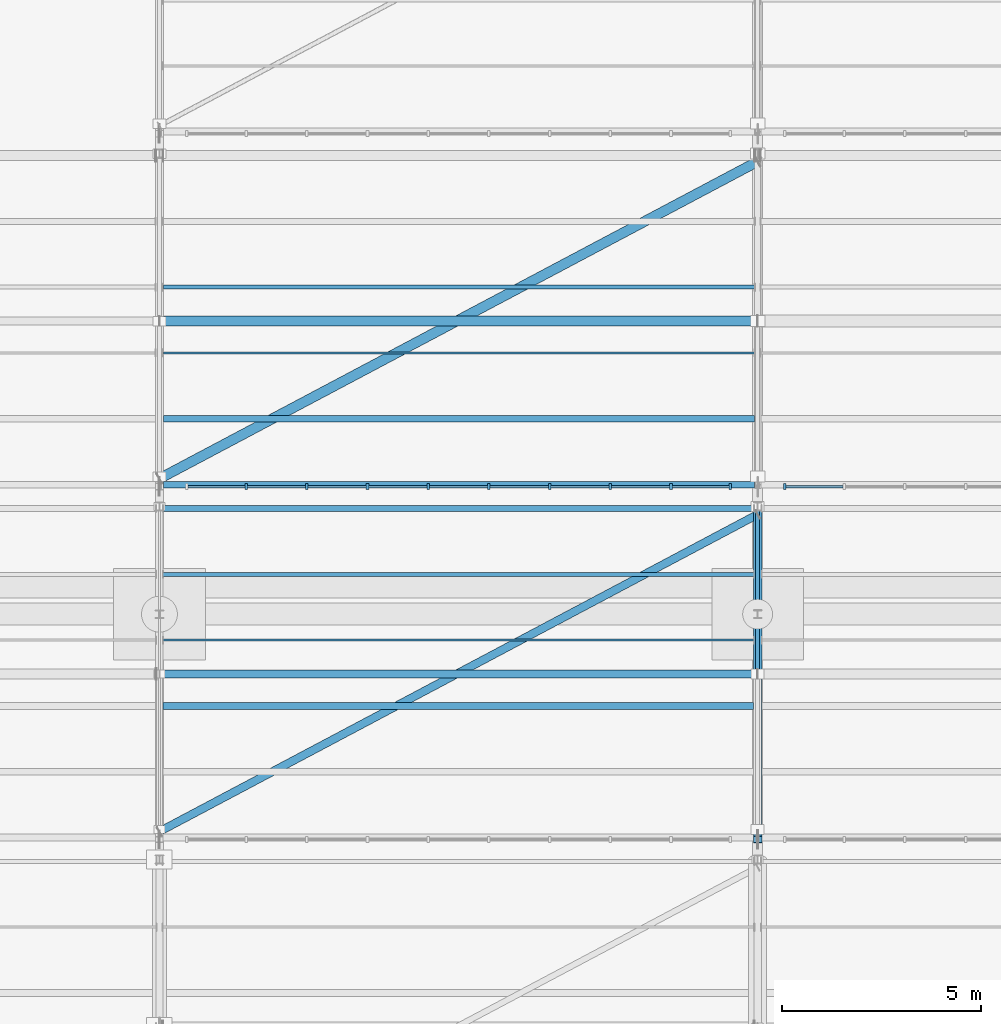
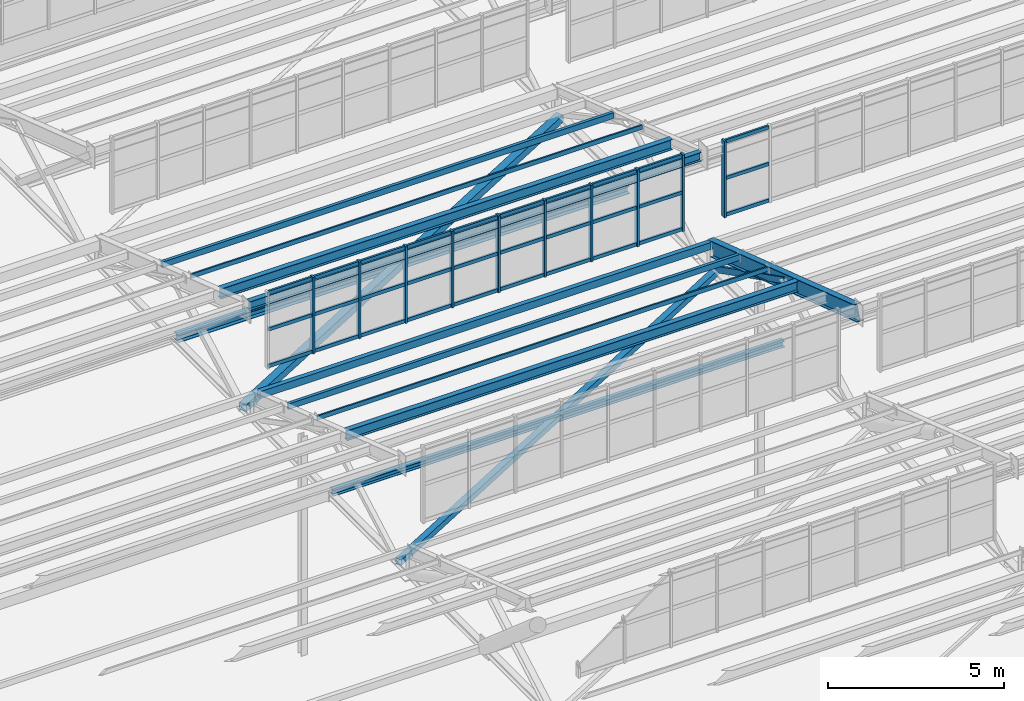
# One storey, part 66 of 285: 45 members, 9 beams, 2 elements without a shape of their own.
"""IFC4 building model written with IfcOpenShell, lengths in metres."""

from ifc_helpers import new_model, si_unit, direction, frame, origin, origin_2d, place, context, subcontext, project, spatial, rectangle, hollow_rectangle, i_section, extrude, material, material_profile, profile_set, type_object, element, aggregate, save


model = new_model("IFC4")

# Units and contexts
model_context = context("Model", 3, precision=1e-05, world=origin(), true_north=direction((0.0, 1.0)))
body_context = subcontext(model_context, "Body", "Model", "MODEL_VIEW")
ifc_project = project(units=[si_unit("LENGTHUNIT", "METRE"), si_unit("AREAUNIT", "SQUARE_METRE"), si_unit("VOLUMEUNIT", "CUBIC_METRE"), si_unit("PLANEANGLEUNIT", "RADIAN"), si_unit("MASSUNIT", "GRAM", prefix="KILO")], contexts=[model_context])

# Site, building, storey
site_placement = place(None, origin())
site = spatial("IfcSite", under=ifc_project, at=site_placement, CompositionType="ELEMENT")
building_placement = place(site_placement, origin())
building = spatial("IfcBuilding", under=site, at=building_placement, Name="Solanera Park Tramway Depot", CompositionType="ELEMENT")
storey_placement = place(building_placement, origin())
storey = spatial("IfcBuildingStorey", under=building, at=storey_placement, Name="L00", CompositionType="ELEMENT", Elevation=0.0)

# Curtain wall, members
ifc_material_1 = material(Name="Bronze-anodised thermally broken aluminium curtain wall", Category="aluminium")
curtain_wall_type = type_object("IfcCurtainWallType", Name="Sawtooth Clerestory Monitor Curtain Wall", PredefinedType="NOTDEFINED", material=ifc_material_1)
curtain_wall_1_placement = place(storey_placement, origin())
curtain_wall_1 = element("IfcCurtainWall", 1, at=curtain_wall_1_placement, inside=storey, type_object=curtain_wall_type, Name="L00 Sawtooth Clerestory Monitor Curtain Wall #052", PredefinedType="NOTDEFINED")
ifc_material_2 = material(Name="Bronze-anodised structural aluminium 6063-T6", Category="aluminium")
ifc_material_profile_1 = material_profile(ifc_material_2, rectangle(XDim=0.06494140625, YDim=0.14990234375, at=origin_2d()), Name="Curtain Wall Mullion 65x150")
ifc_profile_set_1 = profile_set([ifc_material_profile_1], Name="Bronze-anodised structural aluminium 6063-T6")
member_type_1 = type_object("IfcMemberType", Name="Curtain Wall Mullion 65x150", PredefinedType="MULLION", material=ifc_profile_set_1)
member_1_placement = place(storey_placement, frame((17.172119140625, 117.699951171875, 7.75), z_axis=(0.0, 0.0, 1.0), x_axis=(1.0, 0.0, 0.0)))
member_1 = element("IfcMember", 2, at=member_1_placement, type_object=member_type_1, Name="CW-L00-052 Mullion 2", PredefinedType="MULLION", context=body_context, shape_type="SweptSolid", body=[
    extrude(rectangle(XDim=0.06494140625, YDim=0.14990234375, at=origin_2d()), origin(), (0.0, 0.0, 1.0), 2.6611328125),
])
member_2_placement = place(storey_placement, frame((18.6943359375, 117.699951171875, 7.75), z_axis=(0.0, 0.0, 1.0), x_axis=(1.0, 0.0, 0.0)))
member_2 = element("IfcMember", 3, at=member_2_placement, type_object=member_type_1, Name="CW-L00-052 Mullion 3", PredefinedType="MULLION", context=body_context, shape_type="SweptSolid", body=[
    extrude(rectangle(XDim=0.06494140625, YDim=0.14990234375, at=origin_2d()), origin(), (0.0, 0.0, 1.0), 2.6611328125),
])
member_3_placement = place(storey_placement, frame((20.216796875, 117.699951171875, 7.75), z_axis=(0.0, 0.0, 1.0), x_axis=(1.0, 0.0, 0.0)))
member_3 = element("IfcMember", 4, at=member_3_placement, type_object=member_type_1, Name="CW-L00-052 Mullion 4", PredefinedType="MULLION", context=body_context, shape_type="SweptSolid", body=[
    extrude(rectangle(XDim=0.06494140625, YDim=0.14990234375, at=origin_2d()), origin(), (0.0, 0.0, 1.0), 2.6611328125),
])
member_4_placement = place(storey_placement, frame((21.739013671875, 117.699951171875, 7.75), z_axis=(0.0, 0.0, 1.0), x_axis=(1.0, 0.0, 0.0)))
member_4 = element("IfcMember", 5, at=member_4_placement, type_object=member_type_1, Name="CW-L00-052 Mullion 5", PredefinedType="MULLION", context=body_context, shape_type="SweptSolid", body=[
    extrude(rectangle(XDim=0.06494140625, YDim=0.14990234375, at=origin_2d()), origin(), (0.0, 0.0, 1.0), 2.6611328125),
])
member_5_placement = place(storey_placement, frame((23.260986328125, 117.699951171875, 7.75), z_axis=(0.0, 0.0, 1.0), x_axis=(1.0, 0.0, 0.0)))
member_5 = element("IfcMember", 6, at=member_5_placement, type_object=member_type_1, Name="CW-L00-052 Mullion 6", PredefinedType="MULLION", context=body_context, shape_type="SweptSolid", body=[
    extrude(rectangle(XDim=0.06494140625, YDim=0.14990234375, at=origin_2d()), origin(), (0.0, 0.0, 1.0), 2.6611328125),
])
member_6_placement = place(storey_placement, frame((24.783203125, 117.699951171875, 7.75), z_axis=(0.0, 0.0, 1.0), x_axis=(1.0, 0.0, 0.0)))
member_6 = element("IfcMember", 7, at=member_6_placement, type_object=member_type_1, Name="CW-L00-052 Mullion 7", PredefinedType="MULLION", context=body_context, shape_type="SweptSolid", body=[
    extrude(rectangle(XDim=0.06494140625, YDim=0.14990234375, at=origin_2d()), origin(), (0.0, 0.0, 1.0), 2.6611328125),
])
member_7_placement = place(storey_placement, frame((26.3056640625, 117.699951171875, 7.75), z_axis=(0.0, 0.0, 1.0), x_axis=(1.0, 0.0, 0.0)))
member_7 = element("IfcMember", 8, at=member_7_placement, type_object=member_type_1, Name="CW-L00-052 Mullion 8", PredefinedType="MULLION", context=body_context, shape_type="SweptSolid", body=[
    extrude(rectangle(XDim=0.06494140625, YDim=0.14990234375, at=origin_2d()), origin(), (0.0, 0.0, 1.0), 2.6611328125),
])
member_8_placement = place(storey_placement, frame((27.827880859375, 117.699951171875, 7.75), z_axis=(0.0, 0.0, 1.0), x_axis=(1.0, 0.0, 0.0)))
member_8 = element("IfcMember", 9, at=member_8_placement, type_object=member_type_1, Name="CW-L00-052 Mullion 9", PredefinedType="MULLION", context=body_context, shape_type="SweptSolid", body=[
    extrude(rectangle(XDim=0.06494140625, YDim=0.14990234375, at=origin_2d()), origin(), (0.0, 0.0, 1.0), 2.6611328125),
])
member_9_placement = place(storey_placement, frame((29.3173828125, 117.699951171875, 7.75), z_axis=(0.0, 0.0, 1.0), x_axis=(1.0, 0.0, 0.0)))
member_9 = element("IfcMember", 10, at=member_9_placement, type_object=member_type_1, Name="CW-L00-052 Mullion 10", PredefinedType="MULLION", context=body_context, shape_type="SweptSolid", body=[
    extrude(rectangle(XDim=0.06494140625, YDim=0.14990234375, at=origin_2d()), origin(), (0.0, 0.0, 1.0), 2.6611328125),
])

# Curtain wall, member
curtain_wall_2_placement = place(storey_placement, origin())
curtain_wall_2 = element("IfcCurtainWall", 11, at=curtain_wall_2_placement, inside=storey, type_object=curtain_wall_type, Name="L00 Sawtooth Clerestory Monitor Curtain Wall #053", PredefinedType="NOTDEFINED")
member_10_placement = place(storey_placement, frame((30.6826171875, 117.699951171875, 7.75), z_axis=(0.0, 0.0, 1.0), x_axis=(1.0, 0.0, 0.0)))
member_10 = element("IfcMember", 12, at=member_10_placement, type_object=member_type_1, Name="CW-L00-053 Mullion 1", PredefinedType="MULLION", context=body_context, shape_type="SweptSolid", body=[
    extrude(rectangle(XDim=0.06494140625, YDim=0.14990234375, at=origin_2d()), origin(), (0.0, 0.0, 1.0), 2.6611328125),
])

# Member
ifc_material_3 = material(Name="Bronze-anodised structural aluminium 6063-T6", Category="aluminium")
ifc_material_profile_2 = material_profile(ifc_material_3, rectangle(XDim=0.06494140625, YDim=0.1201171875, at=origin_2d()), Name="Curtain Wall Transom 65x120")
ifc_profile_set_2 = profile_set([ifc_material_profile_2], Name="Bronze-anodised structural aluminium 6063-T6")
member_type_2 = type_object("IfcMemberType", Name="Curtain Wall Transom 65x120", PredefinedType="USERDEFINED", material=ifc_profile_set_2)
member_11_placement = place(storey_placement, frame((15.71044921875, 117.699951171875, 7.81005859375), z_axis=(1.0, 0.0, 0.0), x_axis=(0.0, 1.0, 0.0)))
member_11 = element("IfcMember", 13, at=member_11_placement, type_object=member_type_2, Name="CW-L00-052 Transom R1.C1", ObjectType="TRANSOM", PredefinedType="USERDEFINED", context=body_context, shape_type="SweptSolid", body=[
    extrude(rectangle(XDim=0.06494140625, YDim=0.1201171875, at=origin_2d()), origin(), (0.0, 0.0, 1.0), 1.433837890625),
])

member_12_placement = place(storey_placement, frame((17.2001953125, 117.699951171875, 7.81005859375), z_axis=(1.0, 0.0, 0.0), x_axis=(0.0, 1.0, 0.0)))
member_12 = element("IfcMember", 14, at=member_12_placement, type_object=member_type_2, Name="CW-L00-052 Transom R1.C2", ObjectType="TRANSOM", PredefinedType="USERDEFINED", context=body_context, shape_type="SweptSolid", body=[
    extrude(rectangle(XDim=0.06494140625, YDim=0.1201171875, at=origin_2d()), origin(), (0.0, 0.0, 1.0), 1.46630859375),
])

member_13_placement = place(storey_placement, frame((18.722412109375, 117.699951171875, 7.81005859375), z_axis=(1.0, 0.0, 0.0), x_axis=(0.0, 1.0, 0.0)))
member_13 = element("IfcMember", 15, at=member_13_placement, type_object=member_type_2, Name="CW-L00-052 Transom R1.C3", ObjectType="TRANSOM", PredefinedType="USERDEFINED", context=body_context, shape_type="SweptSolid", body=[
    extrude(rectangle(XDim=0.06494140625, YDim=0.1201171875, at=origin_2d()), origin(), (0.0, 0.0, 1.0), 1.46630859375),
])

member_14_placement = place(storey_placement, frame((20.24462890625, 117.699951171875, 7.81005859375), z_axis=(1.0, 0.0, 0.0), x_axis=(0.0, 1.0, 0.0)))
member_14 = element("IfcMember", 16, at=member_14_placement, type_object=member_type_2, Name="CW-L00-052 Transom R1.C4", ObjectType="TRANSOM", PredefinedType="USERDEFINED", context=body_context, shape_type="SweptSolid", body=[
    extrude(rectangle(XDim=0.06494140625, YDim=0.1201171875, at=origin_2d()), origin(), (0.0, 0.0, 1.0), 1.46630859375),
])

member_15_placement = place(storey_placement, frame((21.766845703125, 117.699951171875, 7.81005859375), z_axis=(1.0, 0.0, 0.0), x_axis=(0.0, 1.0, 0.0)))
member_15 = element("IfcMember", 17, at=member_15_placement, type_object=member_type_2, Name="CW-L00-052 Transom R1.C5", ObjectType="TRANSOM", PredefinedType="USERDEFINED", context=body_context, shape_type="SweptSolid", body=[
    extrude(rectangle(XDim=0.06494140625, YDim=0.1201171875, at=origin_2d()), origin(), (0.0, 0.0, 1.0), 1.46630859375),
])

member_16_placement = place(storey_placement, frame((23.2890625, 117.699951171875, 7.81005859375), z_axis=(1.0, 0.0, 0.0), x_axis=(0.0, 1.0, 0.0)))
member_16 = element("IfcMember", 18, at=member_16_placement, type_object=member_type_2, Name="CW-L00-052 Transom R1.C6", ObjectType="TRANSOM", PredefinedType="USERDEFINED", context=body_context, shape_type="SweptSolid", body=[
    extrude(rectangle(XDim=0.06494140625, YDim=0.1201171875, at=origin_2d()), origin(), (0.0, 0.0, 1.0), 1.46630859375),
])

member_17_placement = place(storey_placement, frame((24.811279296875, 117.699951171875, 7.81005859375), z_axis=(1.0, 0.0, 0.0), x_axis=(0.0, 1.0, 0.0)))
member_17 = element("IfcMember", 19, at=member_17_placement, type_object=member_type_2, Name="CW-L00-052 Transom R1.C7", ObjectType="TRANSOM", PredefinedType="USERDEFINED", context=body_context, shape_type="SweptSolid", body=[
    extrude(rectangle(XDim=0.06494140625, YDim=0.1201171875, at=origin_2d()), origin(), (0.0, 0.0, 1.0), 1.46630859375),
])

member_18_placement = place(storey_placement, frame((26.33349609375, 117.699951171875, 7.81005859375), z_axis=(1.0, 0.0, 0.0), x_axis=(0.0, 1.0, 0.0)))
member_18 = element("IfcMember", 20, at=member_18_placement, type_object=member_type_2, Name="CW-L00-052 Transom R1.C8", ObjectType="TRANSOM", PredefinedType="USERDEFINED", context=body_context, shape_type="SweptSolid", body=[
    extrude(rectangle(XDim=0.06494140625, YDim=0.1201171875, at=origin_2d()), origin(), (0.0, 0.0, 1.0), 1.46630859375),
])

member_19_placement = place(storey_placement, frame((27.855712890625, 117.699951171875, 7.81005859375), z_axis=(1.0, 0.0, 0.0), x_axis=(0.0, 1.0, 0.0)))
member_19 = element("IfcMember", 21, at=member_19_placement, type_object=member_type_2, Name="CW-L00-052 Transom R1.C9", ObjectType="TRANSOM", PredefinedType="USERDEFINED", context=body_context, shape_type="SweptSolid", body=[
    extrude(rectangle(XDim=0.06494140625, YDim=0.1201171875, at=origin_2d()), origin(), (0.0, 0.0, 1.0), 1.433837890625),
])

member_20_placement = place(storey_placement, frame((15.71044921875, 117.699951171875, 9.08056640625), z_axis=(1.0, 0.0, 0.0), x_axis=(0.0, 1.0, 0.0)))
member_20 = element("IfcMember", 22, at=member_20_placement, type_object=member_type_2, Name="CW-L00-052 Transom R2.C1", ObjectType="TRANSOM", PredefinedType="USERDEFINED", context=body_context, shape_type="SweptSolid", body=[
    extrude(rectangle(XDim=0.06494140625, YDim=0.1201171875, at=origin_2d()), origin(), (0.0, 0.0, 1.0), 1.433837890625),
])

member_21_placement = place(storey_placement, frame((17.2001953125, 117.699951171875, 9.08056640625), z_axis=(1.0, 0.0, 0.0), x_axis=(0.0, 1.0, 0.0)))
member_21 = element("IfcMember", 23, at=member_21_placement, type_object=member_type_2, Name="CW-L00-052 Transom R2.C2", ObjectType="TRANSOM", PredefinedType="USERDEFINED", context=body_context, shape_type="SweptSolid", body=[
    extrude(rectangle(XDim=0.06494140625, YDim=0.1201171875, at=origin_2d()), origin(), (0.0, 0.0, 1.0), 1.46630859375),
])

member_22_placement = place(storey_placement, frame((18.722412109375, 117.699951171875, 9.08056640625), z_axis=(1.0, 0.0, 0.0), x_axis=(0.0, 1.0, 0.0)))
member_22 = element("IfcMember", 24, at=member_22_placement, type_object=member_type_2, Name="CW-L00-052 Transom R2.C3", ObjectType="TRANSOM", PredefinedType="USERDEFINED", context=body_context, shape_type="SweptSolid", body=[
    extrude(rectangle(XDim=0.06494140625, YDim=0.1201171875, at=origin_2d()), origin(), (0.0, 0.0, 1.0), 1.46630859375),
])

member_23_placement = place(storey_placement, frame((20.24462890625, 117.699951171875, 9.08056640625), z_axis=(1.0, 0.0, 0.0), x_axis=(0.0, 1.0, 0.0)))
member_23 = element("IfcMember", 25, at=member_23_placement, type_object=member_type_2, Name="CW-L00-052 Transom R2.C4", ObjectType="TRANSOM", PredefinedType="USERDEFINED", context=body_context, shape_type="SweptSolid", body=[
    extrude(rectangle(XDim=0.06494140625, YDim=0.1201171875, at=origin_2d()), origin(), (0.0, 0.0, 1.0), 1.46630859375),
])

member_24_placement = place(storey_placement, frame((21.766845703125, 117.699951171875, 9.08056640625), z_axis=(1.0, 0.0, 0.0), x_axis=(0.0, 1.0, 0.0)))
member_24 = element("IfcMember", 26, at=member_24_placement, type_object=member_type_2, Name="CW-L00-052 Transom R2.C5", ObjectType="TRANSOM", PredefinedType="USERDEFINED", context=body_context, shape_type="SweptSolid", body=[
    extrude(rectangle(XDim=0.06494140625, YDim=0.1201171875, at=origin_2d()), origin(), (0.0, 0.0, 1.0), 1.46630859375),
])

member_25_placement = place(storey_placement, frame((23.2890625, 117.699951171875, 9.08056640625), z_axis=(1.0, 0.0, 0.0), x_axis=(0.0, 1.0, 0.0)))
member_25 = element("IfcMember", 27, at=member_25_placement, type_object=member_type_2, Name="CW-L00-052 Transom R2.C6", ObjectType="TRANSOM", PredefinedType="USERDEFINED", context=body_context, shape_type="SweptSolid", body=[
    extrude(rectangle(XDim=0.06494140625, YDim=0.1201171875, at=origin_2d()), origin(), (0.0, 0.0, 1.0), 1.46630859375),
])

member_26_placement = place(storey_placement, frame((24.811279296875, 117.699951171875, 9.08056640625), z_axis=(1.0, 0.0, 0.0), x_axis=(0.0, 1.0, 0.0)))
member_26 = element("IfcMember", 28, at=member_26_placement, type_object=member_type_2, Name="CW-L00-052 Transom R2.C7", ObjectType="TRANSOM", PredefinedType="USERDEFINED", context=body_context, shape_type="SweptSolid", body=[
    extrude(rectangle(XDim=0.06494140625, YDim=0.1201171875, at=origin_2d()), origin(), (0.0, 0.0, 1.0), 1.46630859375),
])

member_27_placement = place(storey_placement, frame((26.33349609375, 117.699951171875, 9.08056640625), z_axis=(1.0, 0.0, 0.0), x_axis=(0.0, 1.0, 0.0)))
member_27 = element("IfcMember", 29, at=member_27_placement, type_object=member_type_2, Name="CW-L00-052 Transom R2.C8", ObjectType="TRANSOM", PredefinedType="USERDEFINED", context=body_context, shape_type="SweptSolid", body=[
    extrude(rectangle(XDim=0.06494140625, YDim=0.1201171875, at=origin_2d()), origin(), (0.0, 0.0, 1.0), 1.46630859375),
])

member_28_placement = place(storey_placement, frame((27.855712890625, 117.699951171875, 9.08056640625), z_axis=(1.0, 0.0, 0.0), x_axis=(0.0, 1.0, 0.0)))
member_28 = element("IfcMember", 30, at=member_28_placement, type_object=member_type_2, Name="CW-L00-052 Transom R2.C9", ObjectType="TRANSOM", PredefinedType="USERDEFINED", context=body_context, shape_type="SweptSolid", body=[
    extrude(rectangle(XDim=0.06494140625, YDim=0.1201171875, at=origin_2d()), origin(), (0.0, 0.0, 1.0), 1.433837890625),
])

member_29_placement = place(storey_placement, frame((15.71044921875, 117.699951171875, 10.351318359375), z_axis=(1.0, 0.0, 0.0), x_axis=(0.0, 1.0, 0.0)))
member_29 = element("IfcMember", 31, at=member_29_placement, type_object=member_type_2, Name="CW-L00-052 Transom R3.C1", ObjectType="TRANSOM", PredefinedType="USERDEFINED", context=body_context, shape_type="SweptSolid", body=[
    extrude(rectangle(XDim=0.06494140625, YDim=0.1201171875, at=origin_2d()), origin(), (0.0, 0.0, 1.0), 1.433837890625),
])

member_30_placement = place(storey_placement, frame((17.2001953125, 117.699951171875, 10.351318359375), z_axis=(1.0, 0.0, 0.0), x_axis=(0.0, 1.0, 0.0)))
member_30 = element("IfcMember", 32, at=member_30_placement, type_object=member_type_2, Name="CW-L00-052 Transom R3.C2", ObjectType="TRANSOM", PredefinedType="USERDEFINED", context=body_context, shape_type="SweptSolid", body=[
    extrude(rectangle(XDim=0.06494140625, YDim=0.1201171875, at=origin_2d()), origin(), (0.0, 0.0, 1.0), 1.46630859375),
])

member_31_placement = place(storey_placement, frame((18.722412109375, 117.699951171875, 10.351318359375), z_axis=(1.0, 0.0, 0.0), x_axis=(0.0, 1.0, 0.0)))
member_31 = element("IfcMember", 33, at=member_31_placement, type_object=member_type_2, Name="CW-L00-052 Transom R3.C3", ObjectType="TRANSOM", PredefinedType="USERDEFINED", context=body_context, shape_type="SweptSolid", body=[
    extrude(rectangle(XDim=0.06494140625, YDim=0.1201171875, at=origin_2d()), origin(), (0.0, 0.0, 1.0), 1.46630859375),
])

member_32_placement = place(storey_placement, frame((20.24462890625, 117.699951171875, 10.351318359375), z_axis=(1.0, 0.0, 0.0), x_axis=(0.0, 1.0, 0.0)))
member_32 = element("IfcMember", 34, at=member_32_placement, type_object=member_type_2, Name="CW-L00-052 Transom R3.C4", ObjectType="TRANSOM", PredefinedType="USERDEFINED", context=body_context, shape_type="SweptSolid", body=[
    extrude(rectangle(XDim=0.06494140625, YDim=0.1201171875, at=origin_2d()), origin(), (0.0, 0.0, 1.0), 1.46630859375),
])

member_33_placement = place(storey_placement, frame((21.766845703125, 117.699951171875, 10.351318359375), z_axis=(1.0, 0.0, 0.0), x_axis=(0.0, 1.0, 0.0)))
member_33 = element("IfcMember", 35, at=member_33_placement, type_object=member_type_2, Name="CW-L00-052 Transom R3.C5", ObjectType="TRANSOM", PredefinedType="USERDEFINED", context=body_context, shape_type="SweptSolid", body=[
    extrude(rectangle(XDim=0.06494140625, YDim=0.1201171875, at=origin_2d()), origin(), (0.0, 0.0, 1.0), 1.46630859375),
])

member_34_placement = place(storey_placement, frame((23.2890625, 117.699951171875, 10.351318359375), z_axis=(1.0, 0.0, 0.0), x_axis=(0.0, 1.0, 0.0)))
member_34 = element("IfcMember", 36, at=member_34_placement, type_object=member_type_2, Name="CW-L00-052 Transom R3.C6", ObjectType="TRANSOM", PredefinedType="USERDEFINED", context=body_context, shape_type="SweptSolid", body=[
    extrude(rectangle(XDim=0.06494140625, YDim=0.1201171875, at=origin_2d()), origin(), (0.0, 0.0, 1.0), 1.46630859375),
])

member_35_placement = place(storey_placement, frame((24.811279296875, 117.699951171875, 10.351318359375), z_axis=(1.0, 0.0, 0.0), x_axis=(0.0, 1.0, 0.0)))
member_35 = element("IfcMember", 37, at=member_35_placement, type_object=member_type_2, Name="CW-L00-052 Transom R3.C7", ObjectType="TRANSOM", PredefinedType="USERDEFINED", context=body_context, shape_type="SweptSolid", body=[
    extrude(rectangle(XDim=0.06494140625, YDim=0.1201171875, at=origin_2d()), origin(), (0.0, 0.0, 1.0), 1.46630859375),
])

member_36_placement = place(storey_placement, frame((26.33349609375, 117.699951171875, 10.351318359375), z_axis=(1.0, 0.0, 0.0), x_axis=(0.0, 1.0, 0.0)))
member_36 = element("IfcMember", 38, at=member_36_placement, type_object=member_type_2, Name="CW-L00-052 Transom R3.C8", ObjectType="TRANSOM", PredefinedType="USERDEFINED", context=body_context, shape_type="SweptSolid", body=[
    extrude(rectangle(XDim=0.06494140625, YDim=0.1201171875, at=origin_2d()), origin(), (0.0, 0.0, 1.0), 1.46630859375),
])

member_37_placement = place(storey_placement, frame((27.855712890625, 117.699951171875, 10.351318359375), z_axis=(1.0, 0.0, 0.0), x_axis=(0.0, 1.0, 0.0)))
member_37 = element("IfcMember", 39, at=member_37_placement, type_object=member_type_2, Name="CW-L00-052 Transom R3.C9", ObjectType="TRANSOM", PredefinedType="USERDEFINED", context=body_context, shape_type="SweptSolid", body=[
    extrude(rectangle(XDim=0.06494140625, YDim=0.1201171875, at=origin_2d()), origin(), (0.0, 0.0, 1.0), 1.433837890625),
])

aggregate(curtain_wall_1, [member_1, member_2, member_3, member_4, member_5, member_6, member_7, member_8, member_9, member_11, member_12, member_13, member_14, member_15, member_16, member_17, member_18, member_19, member_20, member_21, member_22, member_23, member_24, member_25, member_26, member_27, member_28, member_29, member_30, member_31, member_32, member_33, member_34, member_35, member_36, member_37])

member_38_placement = place(storey_placement, frame((30.71044921875, 117.699951171875, 7.81005859375), z_axis=(1.0, 0.0, 0.0), x_axis=(0.0, 1.0, 0.0)))
member_38 = element("IfcMember", 40, at=member_38_placement, type_object=member_type_2, Name="CW-L00-053 Transom R1.C1", ObjectType="TRANSOM", PredefinedType="USERDEFINED", context=body_context, shape_type="SweptSolid", body=[
    extrude(rectangle(XDim=0.06494140625, YDim=0.1201171875, at=origin_2d()), origin(), (0.0, 0.0, 1.0), 1.433837890625),
])

member_39_placement = place(storey_placement, frame((30.71044921875, 117.699951171875, 9.08056640625), z_axis=(1.0, 0.0, 0.0), x_axis=(0.0, 1.0, 0.0)))
member_39 = element("IfcMember", 41, at=member_39_placement, type_object=member_type_2, Name="CW-L00-053 Transom R2.C1", ObjectType="TRANSOM", PredefinedType="USERDEFINED", context=body_context, shape_type="SweptSolid", body=[
    extrude(rectangle(XDim=0.06494140625, YDim=0.1201171875, at=origin_2d()), origin(), (0.0, 0.0, 1.0), 1.433837890625),
])

member_40_placement = place(storey_placement, frame((30.71044921875, 117.699951171875, 10.351318359375), z_axis=(1.0, 0.0, 0.0), x_axis=(0.0, 1.0, 0.0)))
member_40 = element("IfcMember", 42, at=member_40_placement, type_object=member_type_2, Name="CW-L00-053 Transom R3.C1", ObjectType="TRANSOM", PredefinedType="USERDEFINED", context=body_context, shape_type="SweptSolid", body=[
    extrude(rectangle(XDim=0.06494140625, YDim=0.1201171875, at=origin_2d()), origin(), (0.0, 0.0, 1.0), 1.433837890625),
])

aggregate(curtain_wall_2, [member_10, member_38, member_39, member_40])

# Members
ifc_material_4 = material(Name="Steel AS/NZS 3679.1 Grade 350", Category="steel")
ifc_material_profile_3 = material_profile(ifc_material_4, i_section(OverallWidth=0.203369140625, OverallDepth=0.203369140625, WebThickness=0.00732421875, FlangeThickness=0.010986328125, at=origin_2d()), Name="200UC46.2")
ifc_profile_set_3 = profile_set([ifc_material_profile_3], Name="Steel AS/NZS 3679.1 Grade 350")
member_type_3 = type_object("IfcMemberType", Name="Secondary Truss Chord 200UC46.2", PredefinedType="CHORD", material=ifc_profile_set_3)
member_41_placement = place(storey_placement, frame((15.087890625, 113.0, 6.5), z_axis=(1.0, 0.0, 0.0), x_axis=(0.0, 1.0, 0.0)))
element("IfcMember", 43, at=member_41_placement, inside=storey, type_object=member_type_3, Name="Sawtooth Longitudinal Tie Chord 200UC46.2 #0307", PredefinedType="CHORD", context=body_context, shape_type="SweptSolid", body=[
    extrude(i_section(OverallWidth=0.203369140625, OverallDepth=0.203369140625, WebThickness=0.00732421875, FlangeThickness=0.010986328125, at=origin_2d()), origin(), (0.0, 0.0, 1.0), 14.82421875),
])
ifc_material_5 = material(Name="Steel AS/NZS 3679.1 Grade 350", Category="steel")
ifc_material_profile_4 = material_profile(ifc_material_5, i_section(OverallWidth=0.25390625, OverallDepth=0.25390625, WebThickness=0.008544921875, FlangeThickness=0.01416015625, at=origin_2d()), Name="250UC72.9")
ifc_profile_set_4 = profile_set([ifc_material_profile_4], Name="Steel AS/NZS 3679.1 Grade 350")
member_type_4 = type_object("IfcMemberType", Name="Secondary Truss Chord 250UC72.9", PredefinedType="CHORD", material=ifc_profile_set_4)
member_42_placement = place(storey_placement, frame((15.087890625, 121.85009765625, 6.5), z_axis=(1.0, 0.0, 0.0), x_axis=(0.0, 1.0, 0.0)))
element("IfcMember", 44, at=member_42_placement, inside=storey, type_object=member_type_4, Name="Sawtooth Longitudinal Tie Chord 250UC72.9 #0354", PredefinedType="CHORD", context=body_context, shape_type="SweptSolid", body=[
    extrude(i_section(OverallWidth=0.25390625, OverallDepth=0.25390625, WebThickness=0.008544921875, FlangeThickness=0.01416015625, at=origin_2d()), origin(), (0.0, 0.0, 1.0), 14.82421875),
])

# Beams
ifc_material_6 = material(Name="Steel AS/NZS 3679.1 Grade 350", Category="steel")
ifc_material_profile_5 = material_profile(ifc_material_6, i_section(OverallWidth=0.209228515625, OverallDepth=0.532958984375, WebThickness=0.01025390625, FlangeThickness=0.015625, at=origin_2d()), Name="530UB92.4")
ifc_profile_set_5 = profile_set([ifc_material_profile_5], Name="Steel AS/NZS 3679.1 Grade 350")
beam_type_1 = type_object("IfcBeamType", Name="Steel Beam 530UB92.4", PredefinedType="BEAM", material=ifc_profile_set_5)
beam_1_placement = place(storey_placement, frame((30.0, 108.85009765625, 10.018310546875), z_axis=(0.0, 0.948319437663, -0.317317261034), x_axis=(-1.0, 0.0, 0.0)))
element("IfcBeam", 45, at=beam_1_placement, inside=storey, type_object=beam_type_1, Name="Sawtooth ROOF TRUSS Top Rafter 530UB92.4 B07-T3", PredefinedType="BEAM", context=body_context, shape_type="SweptSolid", body=[
    extrude(i_section(OverallWidth=0.209228515625, OverallDepth=0.532958984375, WebThickness=0.01025390625, FlangeThickness=0.015625, at=origin_2d()), origin(), (0.0, 0.0, 1.0), 8.804931640625),
])
ifc_material_7 = material(Name="Steel AS/NZS 1163 Grade C350L0", Category="steel")
ifc_material_profile_6 = material_profile(ifc_material_7, hollow_rectangle(XDim=0.050048828125, YDim=0.14990234375, WallThickness=0.0048828125, at=origin_2d()), Name="150x50x5.0 RHS")
ifc_profile_set_6 = profile_set([ifc_material_profile_6], Name="Steel AS/NZS 1163 Grade C350L0")
beam_type_2 = type_object("IfcBeamType", Name="Steel Joist Purlin 150x50x5.0 RHS", PredefinedType="JOIST", material=ifc_profile_set_6)
beam_2_placement = place(storey_placement, frame((15.087158203125, 113.85009765625, 8.550537109375), z_axis=(1.0, 0.0, 0.0), x_axis=(0.0, 1.0, 0.0)))
element("IfcBeam", 46, at=beam_2_placement, inside=storey, type_object=beam_type_2, Name="Sawtooth Roof Purlin 150x50x5.0 RHS B07.4", PredefinedType="JOIST", context=body_context, shape_type="SweptSolid", body=[
    extrude(hollow_rectangle(XDim=0.050048828125, YDim=0.14990234375, WallThickness=0.0048828125, at=origin_2d()), origin(), (0.0, 0.0, 1.0), 14.816162109375),
])
beam_3_placement = place(storey_placement, frame((15.0966796875, 121.050048828125, 9.1025390625), z_axis=(1.0, 0.0, 0.0), x_axis=(0.0, 1.0, 0.0)))
element("IfcBeam", 47, at=beam_3_placement, inside=storey, type_object=beam_type_2, Name="Sawtooth Roof Purlin 150x50x5.0 RHS B08.3", PredefinedType="JOIST", context=body_context, shape_type="SweptSolid", body=[
    extrude(hollow_rectangle(XDim=0.050048828125, YDim=0.14990234375, WallThickness=0.0048828125, at=origin_2d()), origin(), (0.0, 0.0, 1.0), 14.828369140625),
])
ifc_material_8 = material(Name="Steel AS/NZS 1163 Grade C350L0", Category="steel")
ifc_material_profile_7 = material_profile(ifc_material_8, hollow_rectangle(XDim=0.10009765625, YDim=0.199951171875, WallThickness=0.006103515625, at=origin_2d()), Name="200x100x6.0 RHS")
ifc_profile_set_7 = profile_set([ifc_material_profile_7], Name="Steel AS/NZS 1163 Grade C350L0")
beam_type_3 = type_object("IfcBeamType", Name="Steel Joist Purlin 200x100x6.0 RHS", PredefinedType="JOIST", material=ifc_profile_set_7)
beam_4_placement = place(storey_placement, frame((15.087158203125, 115.5, 7.965087890625), z_axis=(1.0, 0.0, 0.0), x_axis=(0.0, 1.0, 0.0)))
element("IfcBeam", 48, at=beam_4_placement, inside=storey, type_object=beam_type_3, Name="Sawtooth Roof Purlin 200x100x6.0 RHS B07.5", PredefinedType="JOIST", context=body_context, shape_type="SweptSolid", body=[
    extrude(hollow_rectangle(XDim=0.10009765625, YDim=0.199951171875, WallThickness=0.006103515625, at=origin_2d()), origin(), (0.0, 0.0, 1.0), 14.816162109375),
])
beam_5_placement = place(storey_placement, frame((15.0966796875, 122.699951171875, 8.51708984375), z_axis=(1.0, 0.0, 0.0), x_axis=(0.0, 1.0, 0.0)))
element("IfcBeam", 49, at=beam_5_placement, inside=storey, type_object=beam_type_3, Name="Sawtooth Roof Purlin 200x100x6.0 RHS B08.4", PredefinedType="JOIST", context=body_context, shape_type="SweptSolid", body=[
    extrude(hollow_rectangle(XDim=0.10009765625, YDim=0.199951171875, WallThickness=0.006103515625, at=origin_2d()), origin(), (0.0, 0.0, 1.0), 14.828369140625),
])
ifc_material_9 = material(Name="Steel AS/NZS 1163 Grade C350L0", Category="steel")
ifc_material_profile_8 = material_profile(ifc_material_9, hollow_rectangle(XDim=0.14990234375, YDim=0.25, WallThickness=0.008056640625, at=origin_2d()), Name="250x150x8.0 RHS")
ifc_profile_set_8 = profile_set([ifc_material_profile_8], Name="Steel AS/NZS 1163 Grade C350L0")
beam_type_4 = type_object("IfcBeamType", Name="Steel Joist Purlin 250x150x8.0 RHS", PredefinedType="JOIST", material=ifc_profile_set_8)
beam_6_placement = place(storey_placement, frame((15.087158203125, 117.14990234375, 7.379638671875), z_axis=(1.0, 0.0, 0.0), x_axis=(0.0, 1.0, 0.0)))
element("IfcBeam", 50, at=beam_6_placement, inside=storey, type_object=beam_type_4, Name="Sawtooth Roof Purlin 250x150x8.0 RHS B07.6", PredefinedType="JOIST", context=body_context, shape_type="SweptSolid", body=[
    extrude(hollow_rectangle(XDim=0.14990234375, YDim=0.25, WallThickness=0.008056640625, at=origin_2d()), origin(), (0.0, 0.0, 1.0), 14.816162109375),
])
ifc_material_10 = material(Name="Steel AS/NZS 3679.1 Grade 350", Category="steel")
ifc_material_profile_9 = material_profile(ifc_material_10, i_section(OverallWidth=0.166015625, OverallDepth=0.30712890625, WebThickness=0.006591796875, FlangeThickness=0.01171875, at=origin_2d()), Name="310UB46.2")
ifc_profile_set_9 = profile_set([ifc_material_profile_9], Name="Steel AS/NZS 3679.1 Grade 350")
beam_type_5 = type_object("IfcBeamType", Name="Steel Joist Purlin 310UB46.2", PredefinedType="JOIST", material=ifc_profile_set_9)
beam_7_placement = place(storey_placement, frame((15.0966796875, 117.75, 10.108642578125), z_axis=(1.0, 0.0, 0.0), x_axis=(0.0, 1.0, 0.0)))
element("IfcBeam", 51, at=beam_7_placement, inside=storey, type_object=beam_type_5, Name="Sawtooth Roof Purlin 310UB46.2 B08.1", PredefinedType="JOIST", context=body_context, shape_type="SweptSolid", body=[
    extrude(i_section(OverallWidth=0.166015625, OverallDepth=0.30712890625, WebThickness=0.006591796875, FlangeThickness=0.01171875, at=origin_2d()), origin(), (0.0, 0.0, 1.0), 14.828369140625),
])
ifc_material_11 = material(Name="Steel AS/NZS 3679.1 Grade 350", Category="steel")
ifc_material_profile_10 = material_profile(ifc_material_11, i_section(OverallWidth=0.17138671875, OverallDepth=0.355712890625, WebThickness=0.00732421875, FlangeThickness=0.011474609375, at=origin_2d()), Name="360UB50.7")
ifc_profile_set_10 = profile_set([ifc_material_profile_10], Name="Steel AS/NZS 3679.1 Grade 350")
beam_type_6 = type_object("IfcBeamType", Name="Steel Joist Purlin 360UB50.7", PredefinedType="JOIST", material=ifc_profile_set_10)
beam_8_placement = place(storey_placement, frame((15.087158203125, 112.199951171875, 8.9794921875), z_axis=(1.0, 0.0, 0.0), x_axis=(0.0, 1.0, 0.0)))
element("IfcBeam", 52, at=beam_8_placement, inside=storey, type_object=beam_type_6, Name="Sawtooth Roof Purlin 360UB50.7 B07.3", PredefinedType="JOIST", context=body_context, shape_type="SweptSolid", body=[
    extrude(i_section(OverallWidth=0.17138671875, OverallDepth=0.355712890625, WebThickness=0.00732421875, FlangeThickness=0.011474609375, at=origin_2d()), origin(), (0.0, 0.0, 1.0), 14.816162109375),
])
beam_9_placement = place(storey_placement, frame((15.0966796875, 119.39990234375, 9.531494140625), z_axis=(1.0, 0.0, 0.0), x_axis=(0.0, 1.0, 0.0)))
element("IfcBeam", 53, at=beam_9_placement, inside=storey, type_object=beam_type_6, Name="Sawtooth Roof Purlin 360UB50.7 B08.2", PredefinedType="JOIST", context=body_context, shape_type="SweptSolid", body=[
    extrude(i_section(OverallWidth=0.17138671875, OverallDepth=0.355712890625, WebThickness=0.00732421875, FlangeThickness=0.011474609375, at=origin_2d()), origin(), (0.0, 0.0, 1.0), 14.828369140625),
])

# Members
ifc_material_12 = material(Name="Steel AS/NZS 1163 Grade C350L0", Category="steel")
ifc_material_profile_11 = material_profile(ifc_material_12, hollow_rectangle(XDim=0.10009765625, YDim=0.199951171875, WallThickness=0.006103515625, at=origin_2d()), Name="200x100x6.0 RHS")
ifc_profile_set_11 = profile_set([ifc_material_profile_11], Name="Steel AS/NZS 1163 Grade C350L0")
member_type_5 = type_object("IfcMemberType", Name="Truss and Frame Brace 200x100x6.0 RHS", PredefinedType="BRACE", material=ifc_profile_set_11)
member_43_placement = place(storey_placement, frame((30.0, 117.199951171875, 6.5), z_axis=(0.0, -0.891893316909, 0.452245852665), x_axis=(1.0, 0.0, 0.0)))
element("IfcMember", 54, at=member_43_placement, inside=storey, type_object=member_type_5, Name="Sawtooth ROOF TRUSS Diagonal 200x100x6.0 RHS #0280", PredefinedType="BRACE", context=body_context, shape_type="SweptSolid", body=[
    extrude(hollow_rectangle(XDim=0.10009765625, YDim=0.199951171875, WallThickness=0.006103515625, at=origin_2d()), origin(), (0.0, 0.0, 1.0), 4.708984375),
])
ifc_material_13 = material(Name="Steel AS/NZS 1163 Grade C350L0", Category="steel")
ifc_material_profile_12 = material_profile(ifc_material_13, hollow_rectangle(XDim=0.199951171875, YDim=0.199951171875, WallThickness=0.008056640625, at=origin_2d()), Name="200x200x8.0 SHS")
ifc_profile_set_12 = profile_set([ifc_material_profile_12], Name="Steel AS/NZS 1163 Grade C350L0")
member_type_6 = type_object("IfcMemberType", Name="Truss and Frame Brace 200x200x8.0 SHS", PredefinedType="BRACE", material=ifc_profile_set_12)
member_44_placement = place(storey_placement, frame((15.001953125, 109.050048828125, 6.5), z_axis=(0.883523615038, 0.468386615598, 0.0), x_axis=(-0.468386615598, 0.883523615038, 0.0)))
element("IfcMember", 55, at=member_44_placement, inside=storey, type_object=member_type_6, Name="Roof Plane Cyclonic Brace 200x200x8.0 SHS #0308", PredefinedType="BRACE", context=body_context, shape_type="SweptSolid", body=[
    extrude(hollow_rectangle(XDim=0.199951171875, YDim=0.199951171875, WallThickness=0.008056640625, at=origin_2d()), origin(), (0.0, 0.0, 1.0), 16.97314453125),
])
ifc_material_14 = material(Name="Steel AS/NZS 1163 Grade C350L0", Category="steel")
ifc_material_profile_13 = material_profile(ifc_material_14, hollow_rectangle(XDim=0.25, YDim=0.25, WallThickness=0.010009765625, at=origin_2d()), Name="250x250x10.0 SHS")
ifc_profile_set_13 = profile_set([ifc_material_profile_13], Name="Steel AS/NZS 1163 Grade C350L0")
member_type_7 = type_object("IfcMemberType", Name="Truss and Frame Brace 250x250x10.0 SHS", PredefinedType="BRACE", material=ifc_profile_set_13)
member_45_placement = place(storey_placement, frame((15.001953125, 117.89990234375, 6.5), z_axis=(0.883517662461, 0.468397843846, 0.0), x_axis=(-0.468397843846, 0.883517662461, 0.0)))
element("IfcMember", 56, at=member_45_placement, inside=storey, type_object=member_type_7, Name="Roof Plane Cyclonic Brace 250x250x10.0 SHS #0355", PredefinedType="BRACE", context=body_context, shape_type="SweptSolid", body=[
    extrude(hollow_rectangle(XDim=0.25, YDim=0.25, WallThickness=0.010009765625, at=origin_2d()), origin(), (0.0, 0.0, 1.0), 16.97314453125),
])

save(model, "model.ifc")
